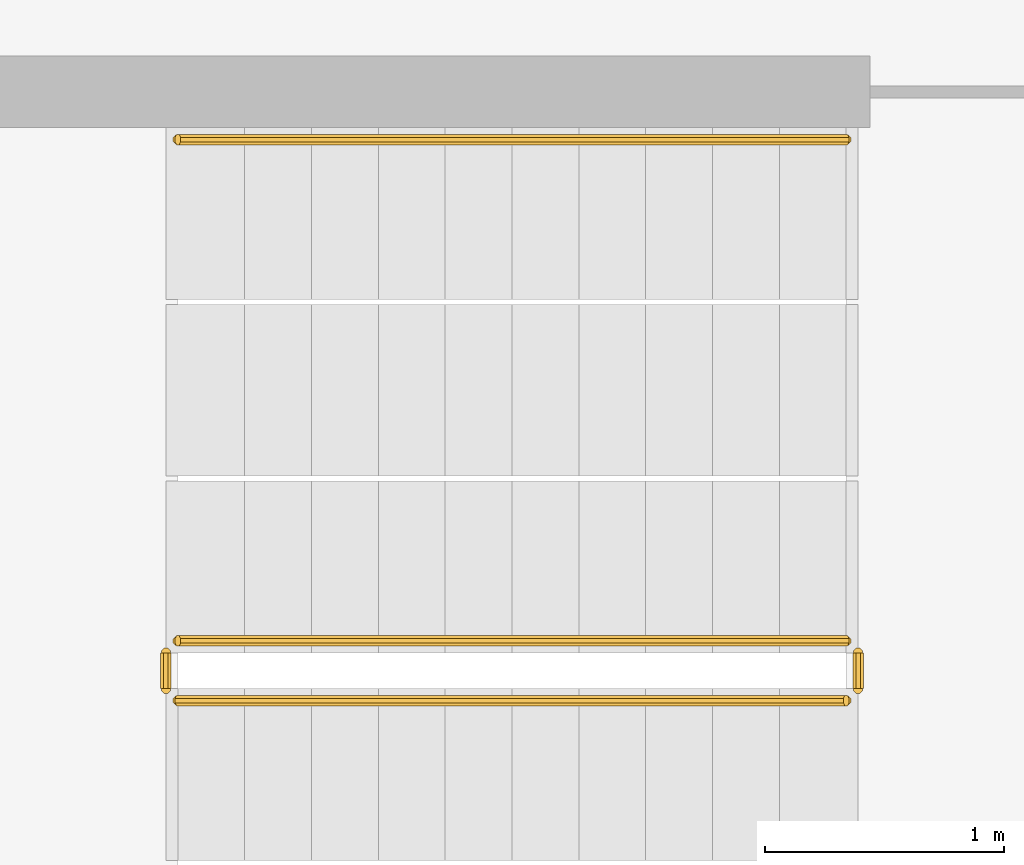
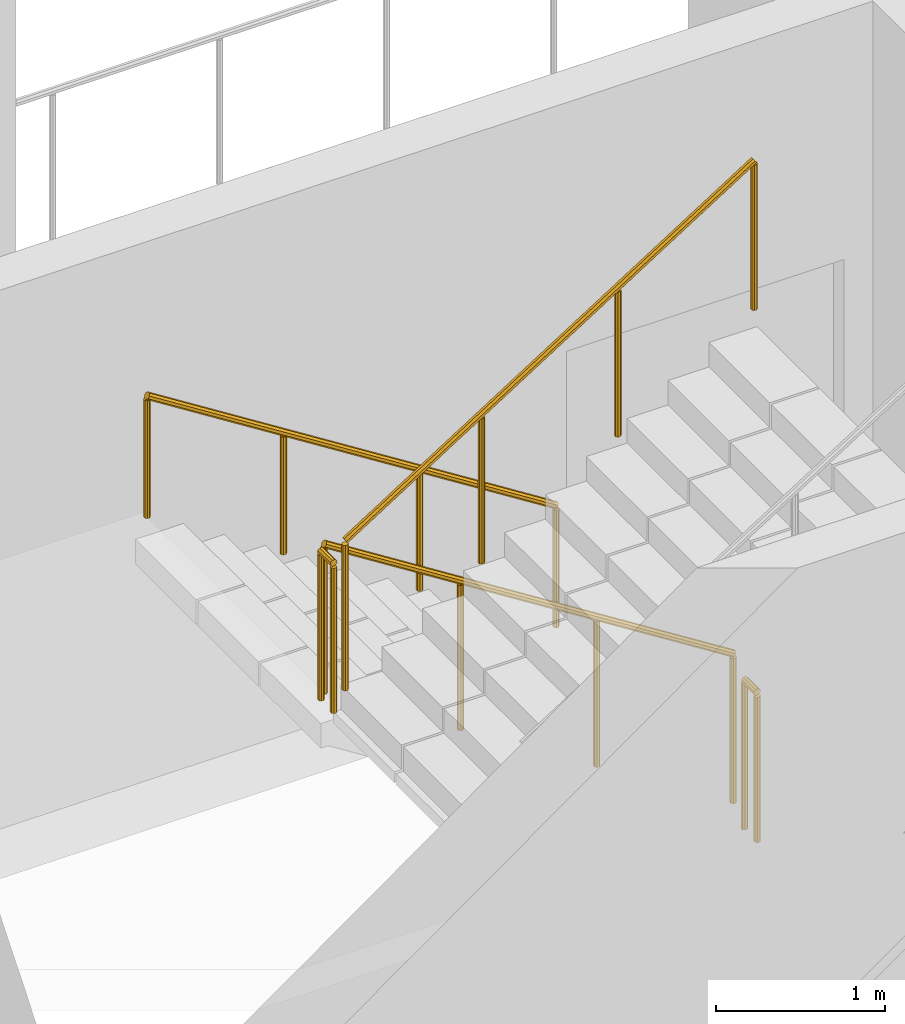
# One storey, part 19 of 25: 5 railings.
"""IFC4 building model written with IfcOpenShell, lengths in metres."""

from ifc_helpers import new_model, si_unit, direction, frame, origin, place, context, subcontext, project, spatial, polyline, outline, extrude, material, type_object, element, save


model = new_model("IFC4")

# Units and contexts
model_context = context("Model", 3, precision=1e-05, world=origin(), true_north=direction((0.0, 1.0)))
body_context = subcontext(model_context, "Body", "Model", "MODEL_VIEW")
ifc_project = project(units=[si_unit("LENGTHUNIT", "METRE"), si_unit("AREAUNIT", "SQUARE_METRE"), si_unit("VOLUMEUNIT", "CUBIC_METRE"), si_unit("PLANEANGLEUNIT", "RADIAN"), si_unit("MASSUNIT", "GRAM", prefix="KILO")], contexts=[model_context])

# Site, building, storey
site_placement = place(None, origin())
site = spatial("IfcSite", under=ifc_project, at=site_placement, CompositionType="ELEMENT")
building_placement = place(site_placement, origin())
building = spatial("IfcBuilding", under=site, at=building_placement, Name="Cormorant Relay Tower", CompositionType="ELEMENT")
storey_placement = place(building_placement, frame((0.0, 0.0, 273.60009765625)))
storey = spatial("IfcBuildingStorey", under=building, at=storey_placement, Name="L61", CompositionType="ELEMENT", Elevation=273.60009765625)

# Railings
ifc_material_1 = material(Name="Steel ASTM A572 Grade 50 (Fy 345 MPa)", Category="steel")
railing_type_1 = type_object("IfcRailingType", Name="Stair guard 1100", PredefinedType="GUARDRAIL", material=ifc_material_1)
railing_1_placement = place(storey_placement, frame((1.60009765625, -18.27490234375, 0.17724609375)))
element("IfcRailing", 1, at=railing_1_placement, inside=storey, type_object=railing_type_1, Name="L61 RK1 stair guard 1", PredefinedType="GUARDRAIL", context=body_context, shape_type="SweptSolid", body=[
    extrude(outline(polyline([(0.022216796875, 0.00927734375), (0.00927734375, 0.022216796875), (-0.00927734375, 0.022216796875), (-0.022216796875, 0.00927734375), (-0.022216796875, -0.00927734375), (-0.00927734375, -0.022216796875), (0.00927734375, -0.022216796875), (0.022216796875, -0.00927734375), (0.022216796875, 0.00927734375)])), frame((0.0, 0.0, 1.076171875), z_axis=(-0.844908973607, 0.0, 0.534910110503), x_axis=(0.0, -1.0, 0.0)), (0.0, 0.0, 1.0), 3.31396484375),
    extrude(outline(polyline([(0.019287109375, 0.008056640625), (0.008056640625, 0.019287109375), (-0.008056640625, 0.019287109375), (-0.019287109375, 0.008056640625), (-0.019287109375, -0.008056640625), (-0.008056640625, -0.019287109375), (0.008056640625, -0.019287109375), (0.019287109375, -0.008056640625), (0.019287109375, 0.008056640625)])), origin(), (0.0, 0.0, 1.0), 1.052001953125),
    extrude(outline(polyline([(0.019287109375, 0.008056640625), (0.008056640625, 0.019287109375), (-0.008056640625, 0.019287109375), (-0.019287109375, 0.008056640625), (-0.019287109375, -0.008056640625), (-0.008056640625, -0.019287109375), (0.008056640625, -0.019287109375), (0.019287109375, -0.008056640625), (0.019287109375, 0.008056640625)])), frame((-0.933349609375, 0.0, 0.5908203125)), (0.0, 0.0, 1.0), 1.052001953125),
    extrude(outline(polyline([(0.019287109375, 0.008056640625), (0.008056640625, 0.019287109375), (-0.008056640625, 0.019287109375), (-0.019287109375, 0.008056640625), (-0.019287109375, -0.008056640625), (-0.008056640625, -0.019287109375), (0.008056640625, -0.019287109375), (0.019287109375, -0.008056640625), (0.019287109375, 0.008056640625)])), frame((-1.86669921875, 0.0, 1.181884765625)), (0.0, 0.0, 1.0), 1.052001953125),
    extrude(outline(polyline([(0.019287109375, 0.008056640625), (0.008056640625, 0.019287109375), (-0.008056640625, 0.019287109375), (-0.019287109375, 0.008056640625), (-0.019287109375, -0.008056640625), (-0.008056640625, -0.019287109375), (0.008056640625, -0.019287109375), (0.019287109375, -0.008056640625), (0.019287109375, 0.008056640625)])), frame((-2.800048828125, 0.0, 1.772705078125)), (0.0, 0.0, 1.0), 1.052001953125),
])
railing_2_placement = place(storey_placement, frame((-1.25, -18.324951171875, 1.949951171875)))
element("IfcRailing", 2, at=railing_2_placement, inside=storey, type_object=railing_type_1, Name="L61 RK1 stair guard 2", PredefinedType="GUARDRAIL", context=body_context, shape_type="SweptSolid", body=[
    extrude(outline(polyline([(0.022216796875, 0.00927734375), (0.00927734375, 0.022216796875), (-0.00927734375, 0.022216796875), (-0.022216796875, 0.00927734375), (-0.022216796875, -0.00927734375), (-0.00927734375, -0.022216796875), (0.00927734375, -0.022216796875), (0.022216796875, -0.00927734375), (0.022216796875, 0.00927734375)])), frame((0.0, 0.0, 1.076171875), z_axis=(0.0, -1.0, 0.0), x_axis=(1.0, 0.0, 0.0)), (0.0, 0.0, 1.0), 0.150146484375),
    extrude(outline(polyline([(0.019287109375, 0.008056640625), (0.008056640625, 0.019287109375), (-0.008056640625, 0.019287109375), (-0.019287109375, 0.008056640625), (-0.019287109375, -0.008056640625), (-0.008056640625, -0.019287109375), (0.008056640625, -0.019287109375), (0.019287109375, -0.008056640625), (0.019287109375, 0.008056640625)])), origin(), (0.0, 0.0, 1.0), 1.052001953125),
    extrude(outline(polyline([(0.019287109375, 0.008056640625), (0.008056640625, 0.019287109375), (-0.008056640625, 0.019287109375), (-0.019287109375, 0.008056640625), (-0.019287109375, -0.008056640625), (-0.008056640625, -0.019287109375), (0.008056640625, -0.019287109375), (0.019287109375, -0.008056640625), (0.019287109375, 0.008056640625)])), frame((0.0, -0.150146484375, 0.0)), (0.0, 0.0, 1.0), 1.052001953125),
])
railing_3_placement = place(storey_placement, frame((-1.199951171875, -18.52490234375, 2.127197265625)))
element("IfcRailing", 3, at=railing_3_placement, inside=storey, type_object=railing_type_1, Name="L61 RK1 stair guard 3", PredefinedType="GUARDRAIL", context=body_context, shape_type="SweptSolid", body=[
    extrude(outline(polyline([(0.022216796875, 0.00927734375), (0.00927734375, 0.022216796875), (-0.00927734375, 0.022216796875), (-0.022216796875, 0.00927734375), (-0.022216796875, -0.00927734375), (-0.00927734375, -0.022216796875), (0.00927734375, -0.022216796875), (0.022216796875, -0.00927734375), (0.022216796875, 0.00927734375)])), frame((0.0, 0.0, 1.076171875), z_axis=(0.844908973607, 0.0, 0.534910110503), x_axis=(0.0, 1.0, 0.0)), (0.0, 0.0, 1.0), 3.31396484375),
    extrude(outline(polyline([(0.019287109375, 0.008056640625), (0.008056640625, 0.019287109375), (-0.008056640625, 0.019287109375), (-0.019287109375, 0.008056640625), (-0.019287109375, -0.008056640625), (-0.008056640625, -0.019287109375), (0.008056640625, -0.019287109375), (0.019287109375, -0.008056640625), (0.019287109375, 0.008056640625)])), origin(), (0.0, 0.0, 1.0), 1.052001953125),
    extrude(outline(polyline([(0.019287109375, 0.008056640625), (0.008056640625, 0.019287109375), (-0.008056640625, 0.019287109375), (-0.019287109375, 0.008056640625), (-0.019287109375, -0.008056640625), (-0.008056640625, -0.019287109375), (0.008056640625, -0.019287109375), (0.019287109375, -0.008056640625), (0.019287109375, 0.008056640625)])), frame((0.933349609375, 0.0, 0.5908203125)), (0.0, 0.0, 1.0), 1.052001953125),
    extrude(outline(polyline([(0.019287109375, 0.008056640625), (0.008056640625, 0.019287109375), (-0.008056640625, 0.019287109375), (-0.019287109375, 0.008056640625), (-0.019287109375, -0.008056640625), (-0.008056640625, -0.019287109375), (0.008056640625, -0.019287109375), (0.019287109375, -0.008056640625), (0.019287109375, 0.008056640625)])), frame((1.86669921875, 0.0, 1.181884765625)), (0.0, 0.0, 1.0), 1.052001953125),
    extrude(outline(polyline([(0.019287109375, 0.008056640625), (0.008056640625, 0.019287109375), (-0.008056640625, 0.019287109375), (-0.019287109375, 0.008056640625), (-0.019287109375, -0.008056640625), (-0.008056640625, -0.019287109375), (0.008056640625, -0.019287109375), (0.019287109375, -0.008056640625), (0.019287109375, 0.008056640625)])), frame((2.800048828125, 0.0, 1.772705078125)), (0.0, 0.0, 1.0), 1.052001953125),
])
railing_4_placement = place(storey_placement, frame((1.64990234375, -18.324951171875, 0.0)))
element("IfcRailing", 4, at=railing_4_placement, inside=storey, type_object=railing_type_1, Name="L61 RK1 stair guard 4", PredefinedType="GUARDRAIL", context=body_context, shape_type="SweptSolid", body=[
    extrude(outline(polyline([(0.022216796875, 0.00927734375), (0.00927734375, 0.022216796875), (-0.00927734375, 0.022216796875), (-0.022216796875, 0.00927734375), (-0.022216796875, -0.00927734375), (-0.00927734375, -0.022216796875), (0.00927734375, -0.022216796875), (0.022216796875, -0.00927734375), (0.022216796875, 0.00927734375)])), frame((0.0, 0.0, 1.076171875), z_axis=(0.0, -1.0, 0.0), x_axis=(1.0, 0.0, 0.0)), (0.0, 0.0, 1.0), 0.150146484375),
    extrude(outline(polyline([(0.019287109375, 0.008056640625), (0.008056640625, 0.019287109375), (-0.008056640625, 0.019287109375), (-0.019287109375, 0.008056640625), (-0.019287109375, -0.008056640625), (-0.008056640625, -0.019287109375), (0.008056640625, -0.019287109375), (0.019287109375, -0.008056640625), (0.019287109375, 0.008056640625)])), origin(), (0.0, 0.0, 1.0), 1.052001953125),
    extrude(outline(polyline([(0.019287109375, 0.008056640625), (0.008056640625, 0.019287109375), (-0.008056640625, 0.019287109375), (-0.019287109375, 0.008056640625), (-0.019287109375, -0.008056640625), (-0.008056640625, -0.019287109375), (0.008056640625, -0.019287109375), (0.019287109375, -0.008056640625), (0.019287109375, 0.008056640625)])), frame((0.0, -0.150146484375, 0.0)), (0.0, 0.0, 1.0), 1.052001953125),
])
ifc_material_2 = material(Name="Steel ASTM A572 Grade 50 (Fy 345 MPa)", Category="steel")
railing_type_2 = type_object("IfcRailingType", Name="Stair handrail 900", PredefinedType="HANDRAIL", material=ifc_material_2)
railing_5_placement = place(storey_placement, frame((1.60009765625, -16.175048828125, 0.17724609375)))
element("IfcRailing", 5, at=railing_5_placement, inside=storey, type_object=railing_type_2, Name="L61 RK1 stair handrail 1", PredefinedType="HANDRAIL", context=body_context, shape_type="SweptSolid", body=[
    extrude(outline(polyline([(0.022216796875, 0.00927734375), (0.00927734375, 0.022216796875), (-0.00927734375, 0.022216796875), (-0.022216796875, 0.00927734375), (-0.022216796875, -0.00927734375), (-0.00927734375, -0.022216796875), (0.00927734375, -0.022216796875), (0.022216796875, -0.00927734375), (0.022216796875, 0.00927734375)])), frame((0.0, 0.0, 0.8759765625), z_axis=(-0.844908973607, 0.0, 0.534910110503), x_axis=(0.0, -1.0, 0.0)), (0.0, 0.0, 1.0), 3.31396484375),
    extrude(outline(polyline([(0.019287109375, 0.008056640625), (0.008056640625, 0.019287109375), (-0.008056640625, 0.019287109375), (-0.019287109375, 0.008056640625), (-0.019287109375, -0.008056640625), (-0.008056640625, -0.019287109375), (0.008056640625, -0.019287109375), (0.019287109375, -0.008056640625), (0.019287109375, 0.008056640625)])), origin(), (0.0, 0.0, 1.0), 0.851806640625),
    extrude(outline(polyline([(0.019287109375, 0.008056640625), (0.008056640625, 0.019287109375), (-0.008056640625, 0.019287109375), (-0.019287109375, 0.008056640625), (-0.019287109375, -0.008056640625), (-0.008056640625, -0.019287109375), (0.008056640625, -0.019287109375), (0.019287109375, -0.008056640625), (0.019287109375, 0.008056640625)])), frame((-0.933349609375, 0.0, 0.5908203125)), (0.0, 0.0, 1.0), 0.851806640625),
    extrude(outline(polyline([(0.019287109375, 0.008056640625), (0.008056640625, 0.019287109375), (-0.008056640625, 0.019287109375), (-0.019287109375, 0.008056640625), (-0.019287109375, -0.008056640625), (-0.008056640625, -0.019287109375), (0.008056640625, -0.019287109375), (0.019287109375, -0.008056640625), (0.019287109375, 0.008056640625)])), frame((-1.86669921875, 0.0, 1.181884765625)), (0.0, 0.0, 1.0), 0.851806640625),
    extrude(outline(polyline([(0.019287109375, 0.008056640625), (0.008056640625, 0.019287109375), (-0.008056640625, 0.019287109375), (-0.019287109375, 0.008056640625), (-0.019287109375, -0.008056640625), (-0.008056640625, -0.019287109375), (0.008056640625, -0.019287109375), (0.019287109375, -0.008056640625), (0.019287109375, 0.008056640625)])), frame((-2.800048828125, 0.0, 1.772705078125)), (0.0, 0.0, 1.0), 0.851806640625),
])

save(model, "model.ifc")
